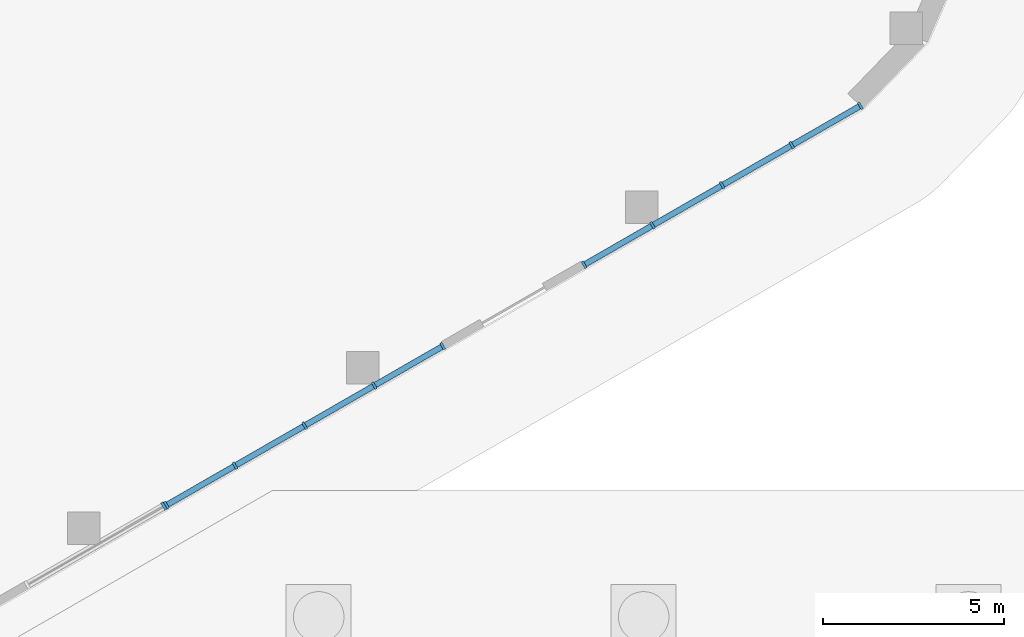
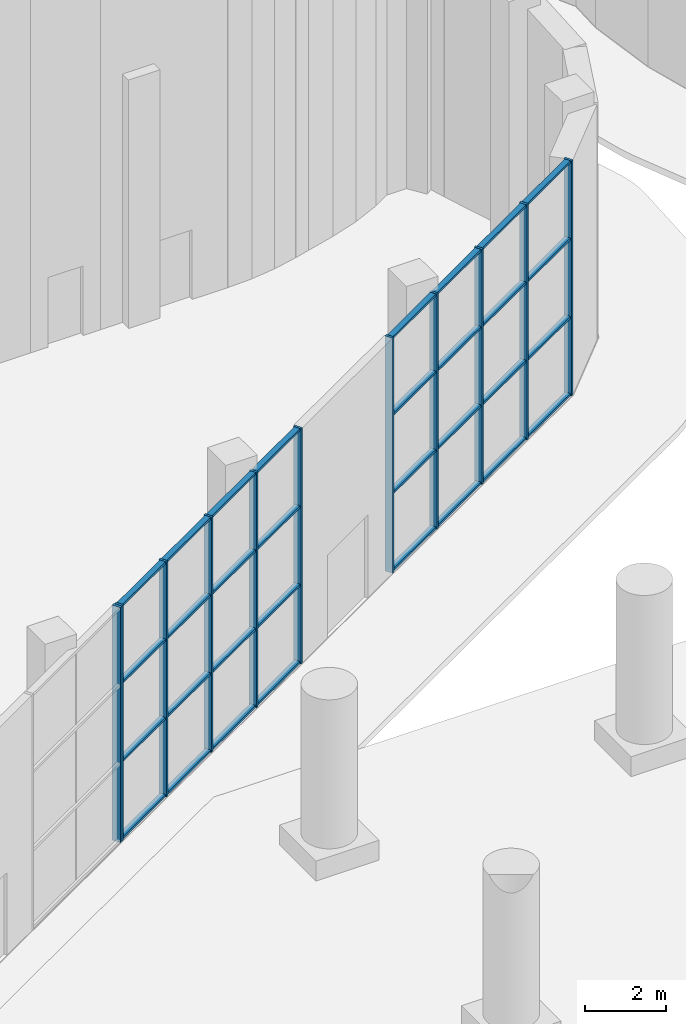
# One storey, part 4 of 30: 43 members, 3 elements without a shape of their own.
"""IFC4 building model written with IfcOpenShell, lengths in metres."""

from ifc_helpers import new_model, si_unit, direction, frame, origin, origin_2d, place, context, subcontext, project, spatial, rectangle, extrude, material, material_profile, profile_set, type_object, element, aggregate, save


model = new_model("IFC4")

# Units and contexts
model_context = context("Model", 3, precision=1e-05, world=origin(), true_north=direction((0.0, 1.0)))
body_context = subcontext(model_context, "Body", "Model", "MODEL_VIEW")
ifc_project = project(units=[si_unit("LENGTHUNIT", "METRE"), si_unit("AREAUNIT", "SQUARE_METRE"), si_unit("VOLUMEUNIT", "CUBIC_METRE"), si_unit("PLANEANGLEUNIT", "RADIAN"), si_unit("MASSUNIT", "GRAM", prefix="KILO")], contexts=[model_context])

# Site, building, storey
site_placement = place(None, origin())
site = spatial("IfcSite", under=ifc_project, at=site_placement, CompositionType="ELEMENT")
building_placement = place(site_placement, origin())
building = spatial("IfcBuilding", under=site, at=building_placement, Name="Skarvind Civic Tower", CompositionType="ELEMENT")
storey_placement = place(building_placement, origin())
storey = spatial("IfcBuildingStorey", under=building, at=storey_placement, Name="L00", CompositionType="ELEMENT", Elevation=0.0)

# Curtain wall, member
ifc_material_1 = material(Name="Aluminium alloy 6063 and laminated glass", Category="aluminium")
curtain_wall_type_1 = type_object("IfcCurtainWallType", Name="CW1 PUBLIC HALL GLAZING", PredefinedType="NOTDEFINED", material=ifc_material_1)
curtain_wall_1_placement = place(storey_placement, origin())
curtain_wall_1 = element("IfcCurtainWall", 1, at=curtain_wall_1_placement, inside=storey, type_object=curtain_wall_type_1, Name="PUBLIC SERVICE HALL GLAZING", PredefinedType="NOTDEFINED")
ifc_material_2 = material(Name="Aluminium alloy 6063", Category="aluminium")
ifc_material_profile_1 = material_profile(ifc_material_2, rectangle(XDim=0.239990234375, YDim=0.080078125, at=origin_2d()), Name="AL 80x240")
ifc_profile_set_1 = profile_set([ifc_material_profile_1], Name="Aluminium alloy 6063")
member_type_1 = type_object("IfcMemberType", Name="CW1 MULLION 80x240", PredefinedType="MULLION", material=ifc_profile_set_1)
member_1_placement = place(storey_placement, frame((91.213623046875, 89.56640625, 0.0), z_axis=(0.0, 0.0, 1.0), x_axis=(0.498821195522, -0.866704918008, 0.0)))
member_1 = element("IfcMember", 2, at=member_1_placement, type_object=member_type_1, Name="CW1 mullion 1", PredefinedType="MULLION", context=body_context, shape_type="SweptSolid", body=[
    extrude(rectangle(XDim=0.239990234375, YDim=0.080078125, at=origin_2d()), origin(), (0.0, 0.0, 1.0), 7.10009765625),
])
aggregate(curtain_wall_1, [member_1])

# Curtain wall, members
curtain_wall_type_2 = type_object("IfcCurtainWallType", Name="CW2 TOWER ENTRANCE LOBBY GLAZING", PredefinedType="NOTDEFINED", material=ifc_material_1)
curtain_wall_2_placement = place(storey_placement, origin())
curtain_wall_2 = element("IfcCurtainWall", 3, at=curtain_wall_2_placement, inside=storey, type_object=curtain_wall_type_2, Name="TOWER ENTRANCE LOBBY GLAZING", PredefinedType="NOTDEFINED")
ifc_material_profile_2 = material_profile(ifc_material_2, rectangle(XDim=0.219970703125, YDim=0.070068359375, at=origin_2d()), Name="AL 70x220")
ifc_profile_set_2 = profile_set([ifc_material_profile_2], Name="Aluminium alloy 6063")
member_type_2 = type_object("IfcMemberType", Name="CW2 MULLION 70x220", PredefinedType="MULLION", material=ifc_profile_set_2)
member_2_placement = place(storey_placement, frame((110.50146484375, 100.65576171875, 0.0), z_axis=(0.0, 0.0, 1.0), x_axis=(0.498829638128, -0.866700058916, 0.0)))
member_2 = element("IfcMember", 4, at=member_2_placement, type_object=member_type_2, Name="CW2 mullion 1", PredefinedType="MULLION", context=body_context, shape_type="SweptSolid", body=[
    extrude(rectangle(XDim=0.219970703125, YDim=0.070068359375, at=origin_2d()), origin(), (0.0, 0.0, 1.0), 7.10009765625),
])
member_3_placement = place(storey_placement, frame((108.60400390625, 99.563720703125, 0.0), z_axis=(0.0, 0.0, 1.0), x_axis=(0.498829638128, -0.866700058916, 0.0)))
member_3 = element("IfcMember", 5, at=member_3_placement, type_object=member_type_2, Name="CW2 mullion 2", PredefinedType="MULLION", context=body_context, shape_type="SweptSolid", body=[
    extrude(rectangle(XDim=0.219970703125, YDim=0.070068359375, at=origin_2d()), origin(), (0.0, 0.0, 1.0), 7.10009765625),
])
member_4_placement = place(storey_placement, frame((106.67626953125, 98.4541015625, 0.0), z_axis=(0.0, 0.0, 1.0), x_axis=(0.498829638128, -0.866700058916, 0.0)))
member_4 = element("IfcMember", 6, at=member_4_placement, type_object=member_type_2, Name="CW2 mullion 3", PredefinedType="MULLION", context=body_context, shape_type="SweptSolid", body=[
    extrude(rectangle(XDim=0.219970703125, YDim=0.070068359375, at=origin_2d()), origin(), (0.0, 0.0, 1.0), 7.10009765625),
])
member_5_placement = place(storey_placement, frame((104.748291015625, 97.344482421875, 0.0), z_axis=(0.0, 0.0, 1.0), x_axis=(0.498829638128, -0.866700058916, 0.0)))
member_5 = element("IfcMember", 7, at=member_5_placement, type_object=member_type_2, Name="CW2 mullion 4", PredefinedType="MULLION", context=body_context, shape_type="SweptSolid", body=[
    extrude(rectangle(XDim=0.219970703125, YDim=0.070068359375, at=origin_2d()), origin(), (0.0, 0.0, 1.0), 7.10009765625),
])
member_6_placement = place(storey_placement, frame((102.850830078125, 96.25244140625, 0.0), z_axis=(0.0, 0.0, 1.0), x_axis=(0.498829638128, -0.866700058916, 0.0)))
member_6 = element("IfcMember", 8, at=member_6_placement, type_object=member_type_2, Name="CW2 mullion 5", PredefinedType="MULLION", context=body_context, shape_type="SweptSolid", body=[
    extrude(rectangle(XDim=0.219970703125, YDim=0.070068359375, at=origin_2d()), origin(), (0.0, 0.0, 1.0), 7.10009765625),
])

curtain_wall_3_placement = place(storey_placement, origin())
curtain_wall_3 = element("IfcCurtainWall", 9, at=curtain_wall_3_placement, inside=storey, type_object=curtain_wall_type_2, Name="TOWER ENTRANCE LOBBY GLAZING", PredefinedType="NOTDEFINED")
member_7_placement = place(storey_placement, frame((98.9345703125, 93.99853515625, 0.0), z_axis=(0.0, 0.0, 1.0), x_axis=(0.498829638128, -0.866700058916, 0.0)))
member_7 = element("IfcMember", 10, at=member_7_placement, type_object=member_type_2, Name="CW2 mullion 1", PredefinedType="MULLION", context=body_context, shape_type="SweptSolid", body=[
    extrude(rectangle(XDim=0.219970703125, YDim=0.070068359375, at=origin_2d()), origin(), (0.0, 0.0, 1.0), 7.10009765625),
])
member_8_placement = place(storey_placement, frame((97.036865234375, 92.90625, 0.0), z_axis=(0.0, 0.0, 1.0), x_axis=(0.498829638128, -0.866700058916, 0.0)))
member_8 = element("IfcMember", 11, at=member_8_placement, type_object=member_type_2, Name="CW2 mullion 2", PredefinedType="MULLION", context=body_context, shape_type="SweptSolid", body=[
    extrude(rectangle(XDim=0.219970703125, YDim=0.070068359375, at=origin_2d()), origin(), (0.0, 0.0, 1.0), 7.10009765625),
])
member_9_placement = place(storey_placement, frame((95.109130859375, 91.796630859375, 0.0), z_axis=(0.0, 0.0, 1.0), x_axis=(0.498829638128, -0.866700058916, 0.0)))
member_9 = element("IfcMember", 12, at=member_9_placement, type_object=member_type_2, Name="CW2 mullion 3", PredefinedType="MULLION", context=body_context, shape_type="SweptSolid", body=[
    extrude(rectangle(XDim=0.219970703125, YDim=0.070068359375, at=origin_2d()), origin(), (0.0, 0.0, 1.0), 7.10009765625),
])
member_10_placement = place(storey_placement, frame((93.18115234375, 90.687255859375, 0.0), z_axis=(0.0, 0.0, 1.0), x_axis=(0.498829638128, -0.866700058916, 0.0)))
member_10 = element("IfcMember", 13, at=member_10_placement, type_object=member_type_2, Name="CW2 mullion 4", PredefinedType="MULLION", context=body_context, shape_type="SweptSolid", body=[
    extrude(rectangle(XDim=0.219970703125, YDim=0.070068359375, at=origin_2d()), origin(), (0.0, 0.0, 1.0), 7.10009765625),
])
member_11_placement = place(storey_placement, frame((91.28369140625, 89.594970703125, 0.0), z_axis=(0.0, 0.0, 1.0), x_axis=(0.498829638128, -0.866700058916, 0.0)))
member_11 = element("IfcMember", 14, at=member_11_placement, type_object=member_type_2, Name="CW2 mullion 5", PredefinedType="MULLION", context=body_context, shape_type="SweptSolid", body=[
    extrude(rectangle(XDim=0.219970703125, YDim=0.070068359375, at=origin_2d()), origin(), (0.0, 0.0, 1.0), 7.10009765625),
])

# Member
ifc_material_profile_3 = material_profile(ifc_material_2, rectangle(XDim=0.159912109375, YDim=0.070068359375, at=origin_2d()), Name="AL 70x160")
ifc_profile_set_3 = profile_set([ifc_material_profile_3], Name="Aluminium alloy 6063")
member_type_3 = type_object("IfcMemberType", Name="CW2 TRANSOM 70x160", PredefinedType="USERDEFINED", material=ifc_profile_set_3)
member_12_placement = place(storey_placement, frame((110.47119140625, 100.638427734375, 0.034912109375), z_axis=(-0.866722062826, -0.498791405109, 0.0), x_axis=(0.498791405109, -0.866722062826, 0.0)))
member_12 = element("IfcMember", 15, at=member_12_placement, type_object=member_type_3, Name="CW2 transom 1.1", ObjectType="TRANSOM", PredefinedType="USERDEFINED", context=body_context, shape_type="SweptSolid", body=[
    extrude(rectangle(XDim=0.159912109375, YDim=0.070068359375, at=origin_2d()), origin(), (0.0, 0.0, 1.0), 2.119384765625),
])

member_13_placement = place(storey_placement, frame((110.47119140625, 100.638427734375, 2.36669921875), z_axis=(-0.866722062826, -0.498791405109, 0.0), x_axis=(0.498791405109, -0.866722062826, 0.0)))
member_13 = element("IfcMember", 16, at=member_13_placement, type_object=member_type_3, Name="CW2 transom 1.2", ObjectType="TRANSOM", PredefinedType="USERDEFINED", context=body_context, shape_type="SweptSolid", body=[
    extrude(rectangle(XDim=0.159912109375, YDim=0.070068359375, at=origin_2d()), origin(), (0.0, 0.0, 1.0), 2.119384765625),
])

member_14_placement = place(storey_placement, frame((110.47119140625, 100.638427734375, 4.7333984375), z_axis=(-0.866722062826, -0.498791405109, 0.0), x_axis=(0.498791405109, -0.866722062826, 0.0)))
member_14 = element("IfcMember", 17, at=member_14_placement, type_object=member_type_3, Name="CW2 transom 1.3", ObjectType="TRANSOM", PredefinedType="USERDEFINED", context=body_context, shape_type="SweptSolid", body=[
    extrude(rectangle(XDim=0.159912109375, YDim=0.070068359375, at=origin_2d()), origin(), (0.0, 0.0, 1.0), 2.119384765625),
])

member_15_placement = place(storey_placement, frame((110.47119140625, 100.638427734375, 7.06494140625), z_axis=(-0.866722062826, -0.498791405109, 0.0), x_axis=(0.498791405109, -0.866722062826, 0.0)))
member_15 = element("IfcMember", 18, at=member_15_placement, type_object=member_type_3, Name="CW2 transom 1.4", ObjectType="TRANSOM", PredefinedType="USERDEFINED", context=body_context, shape_type="SweptSolid", body=[
    extrude(rectangle(XDim=0.159912109375, YDim=0.070068359375, at=origin_2d()), origin(), (0.0, 0.0, 1.0), 2.119384765625),
])

member_16_placement = place(storey_placement, frame((108.57373046875, 99.54638671875, 0.034912109375), z_axis=(-0.866690754889, -0.498845803219, 0.0), x_axis=(0.498845803219, -0.866690754889, 0.0)))
member_16 = element("IfcMember", 19, at=member_16_placement, type_object=member_type_3, Name="CW2 transom 2.1", ObjectType="TRANSOM", PredefinedType="USERDEFINED", context=body_context, shape_type="SweptSolid", body=[
    extrude(rectangle(XDim=0.159912109375, YDim=0.070068359375, at=origin_2d()), origin(), (0.0, 0.0, 1.0), 2.154296875),
])

member_17_placement = place(storey_placement, frame((108.57373046875, 99.54638671875, 2.36669921875), z_axis=(-0.866690754889, -0.498845803219, 0.0), x_axis=(0.498845803219, -0.866690754889, 0.0)))
member_17 = element("IfcMember", 20, at=member_17_placement, type_object=member_type_3, Name="CW2 transom 2.2", ObjectType="TRANSOM", PredefinedType="USERDEFINED", context=body_context, shape_type="SweptSolid", body=[
    extrude(rectangle(XDim=0.159912109375, YDim=0.070068359375, at=origin_2d()), origin(), (0.0, 0.0, 1.0), 2.154296875),
])

member_18_placement = place(storey_placement, frame((108.57373046875, 99.54638671875, 4.7333984375), z_axis=(-0.866690754889, -0.498845803219, 0.0), x_axis=(0.498845803219, -0.866690754889, 0.0)))
member_18 = element("IfcMember", 21, at=member_18_placement, type_object=member_type_3, Name="CW2 transom 2.3", ObjectType="TRANSOM", PredefinedType="USERDEFINED", context=body_context, shape_type="SweptSolid", body=[
    extrude(rectangle(XDim=0.159912109375, YDim=0.070068359375, at=origin_2d()), origin(), (0.0, 0.0, 1.0), 2.154296875),
])

member_19_placement = place(storey_placement, frame((108.57373046875, 99.54638671875, 7.06494140625), z_axis=(-0.866690754889, -0.498845803219, 0.0), x_axis=(0.498845803219, -0.866690754889, 0.0)))
member_19 = element("IfcMember", 22, at=member_19_placement, type_object=member_type_3, Name="CW2 transom 2.4", ObjectType="TRANSOM", PredefinedType="USERDEFINED", context=body_context, shape_type="SweptSolid", body=[
    extrude(rectangle(XDim=0.159912109375, YDim=0.070068359375, at=origin_2d()), origin(), (0.0, 0.0, 1.0), 2.154296875),
])

member_20_placement = place(storey_placement, frame((106.645751953125, 98.436767578125, 0.034912109375), z_axis=(-0.866690754889, -0.498845803219, 0.0), x_axis=(0.498845803219, -0.866690754889, 0.0)))
member_20 = element("IfcMember", 23, at=member_20_placement, type_object=member_type_3, Name="CW2 transom 3.1", ObjectType="TRANSOM", PredefinedType="USERDEFINED", context=body_context, shape_type="SweptSolid", body=[
    extrude(rectangle(XDim=0.159912109375, YDim=0.070068359375, at=origin_2d()), origin(), (0.0, 0.0, 1.0), 2.154296875),
])

member_21_placement = place(storey_placement, frame((106.645751953125, 98.436767578125, 2.36669921875), z_axis=(-0.866690754889, -0.498845803219, 0.0), x_axis=(0.498845803219, -0.866690754889, 0.0)))
member_21 = element("IfcMember", 24, at=member_21_placement, type_object=member_type_3, Name="CW2 transom 3.2", ObjectType="TRANSOM", PredefinedType="USERDEFINED", context=body_context, shape_type="SweptSolid", body=[
    extrude(rectangle(XDim=0.159912109375, YDim=0.070068359375, at=origin_2d()), origin(), (0.0, 0.0, 1.0), 2.154296875),
])

member_22_placement = place(storey_placement, frame((106.645751953125, 98.436767578125, 4.7333984375), z_axis=(-0.866690754889, -0.498845803219, 0.0), x_axis=(0.498845803219, -0.866690754889, 0.0)))
member_22 = element("IfcMember", 25, at=member_22_placement, type_object=member_type_3, Name="CW2 transom 3.3", ObjectType="TRANSOM", PredefinedType="USERDEFINED", context=body_context, shape_type="SweptSolid", body=[
    extrude(rectangle(XDim=0.159912109375, YDim=0.070068359375, at=origin_2d()), origin(), (0.0, 0.0, 1.0), 2.154296875),
])

member_23_placement = place(storey_placement, frame((106.645751953125, 98.436767578125, 7.06494140625), z_axis=(-0.866690754889, -0.498845803219, 0.0), x_axis=(0.498845803219, -0.866690754889, 0.0)))
member_23 = element("IfcMember", 26, at=member_23_placement, type_object=member_type_3, Name="CW2 transom 3.4", ObjectType="TRANSOM", PredefinedType="USERDEFINED", context=body_context, shape_type="SweptSolid", body=[
    extrude(rectangle(XDim=0.159912109375, YDim=0.070068359375, at=origin_2d()), origin(), (0.0, 0.0, 1.0), 2.154296875),
])

member_24_placement = place(storey_placement, frame((104.718017578125, 97.3271484375, 0.034912109375), z_axis=(-0.866722062826, -0.498791405109, 0.0), x_axis=(0.498791405109, -0.866722062826, 0.0)))
member_24 = element("IfcMember", 27, at=member_24_placement, type_object=member_type_3, Name="CW2 transom 4.1", ObjectType="TRANSOM", PredefinedType="USERDEFINED", context=body_context, shape_type="SweptSolid", body=[
    extrude(rectangle(XDim=0.159912109375, YDim=0.070068359375, at=origin_2d()), origin(), (0.0, 0.0, 1.0), 2.119384765625),
])

member_25_placement = place(storey_placement, frame((104.718017578125, 97.3271484375, 2.36669921875), z_axis=(-0.866722062826, -0.498791405109, 0.0), x_axis=(0.498791405109, -0.866722062826, 0.0)))
member_25 = element("IfcMember", 28, at=member_25_placement, type_object=member_type_3, Name="CW2 transom 4.2", ObjectType="TRANSOM", PredefinedType="USERDEFINED", context=body_context, shape_type="SweptSolid", body=[
    extrude(rectangle(XDim=0.159912109375, YDim=0.070068359375, at=origin_2d()), origin(), (0.0, 0.0, 1.0), 2.119384765625),
])

member_26_placement = place(storey_placement, frame((104.718017578125, 97.3271484375, 4.7333984375), z_axis=(-0.866722062826, -0.498791405109, 0.0), x_axis=(0.498791405109, -0.866722062826, 0.0)))
member_26 = element("IfcMember", 29, at=member_26_placement, type_object=member_type_3, Name="CW2 transom 4.3", ObjectType="TRANSOM", PredefinedType="USERDEFINED", context=body_context, shape_type="SweptSolid", body=[
    extrude(rectangle(XDim=0.159912109375, YDim=0.070068359375, at=origin_2d()), origin(), (0.0, 0.0, 1.0), 2.119384765625),
])

member_27_placement = place(storey_placement, frame((104.718017578125, 97.3271484375, 7.06494140625), z_axis=(-0.866722062826, -0.498791405109, 0.0), x_axis=(0.498791405109, -0.866722062826, 0.0)))
member_27 = element("IfcMember", 30, at=member_27_placement, type_object=member_type_3, Name="CW2 transom 4.4", ObjectType="TRANSOM", PredefinedType="USERDEFINED", context=body_context, shape_type="SweptSolid", body=[
    extrude(rectangle(XDim=0.159912109375, YDim=0.070068359375, at=origin_2d()), origin(), (0.0, 0.0, 1.0), 2.119384765625),
])

aggregate(curtain_wall_2, [member_2, member_3, member_4, member_5, member_6, member_12, member_13, member_14, member_15, member_16, member_17, member_18, member_19, member_20, member_21, member_22, member_23, member_24, member_25, member_26, member_27])

member_28_placement = place(storey_placement, frame((98.904052734375, 93.98095703125, 0.034912109375), z_axis=(-0.866693399009, -0.498841209319, 0.0), x_axis=(0.498841209319, -0.866693399009, 0.0)))
member_28 = element("IfcMember", 31, at=member_28_placement, type_object=member_type_3, Name="CW2 transom 1.1", ObjectType="TRANSOM", PredefinedType="USERDEFINED", context=body_context, shape_type="SweptSolid", body=[
    extrude(rectangle(XDim=0.159912109375, YDim=0.070068359375, at=origin_2d()), origin(), (0.0, 0.0, 1.0), 2.119140625),
])

member_29_placement = place(storey_placement, frame((98.904052734375, 93.98095703125, 2.36669921875), z_axis=(-0.866693399009, -0.498841209319, 0.0), x_axis=(0.498841209319, -0.866693399009, 0.0)))
member_29 = element("IfcMember", 32, at=member_29_placement, type_object=member_type_3, Name="CW2 transom 1.2", ObjectType="TRANSOM", PredefinedType="USERDEFINED", context=body_context, shape_type="SweptSolid", body=[
    extrude(rectangle(XDim=0.159912109375, YDim=0.070068359375, at=origin_2d()), origin(), (0.0, 0.0, 1.0), 2.119140625),
])

member_30_placement = place(storey_placement, frame((98.904052734375, 93.98095703125, 4.7333984375), z_axis=(-0.866693399009, -0.498841209319, 0.0), x_axis=(0.498841209319, -0.866693399009, 0.0)))
member_30 = element("IfcMember", 33, at=member_30_placement, type_object=member_type_3, Name="CW2 transom 1.3", ObjectType="TRANSOM", PredefinedType="USERDEFINED", context=body_context, shape_type="SweptSolid", body=[
    extrude(rectangle(XDim=0.159912109375, YDim=0.070068359375, at=origin_2d()), origin(), (0.0, 0.0, 1.0), 2.119140625),
])

member_31_placement = place(storey_placement, frame((98.904052734375, 93.98095703125, 7.06494140625), z_axis=(-0.866693399009, -0.498841209319, 0.0), x_axis=(0.498841209319, -0.866693399009, 0.0)))
member_31 = element("IfcMember", 34, at=member_31_placement, type_object=member_type_3, Name="CW2 transom 1.4", ObjectType="TRANSOM", PredefinedType="USERDEFINED", context=body_context, shape_type="SweptSolid", body=[
    extrude(rectangle(XDim=0.159912109375, YDim=0.070068359375, at=origin_2d()), origin(), (0.0, 0.0, 1.0), 2.119140625),
])

member_32_placement = place(storey_placement, frame((97.006591796875, 92.888916015625, 0.034912109375), z_axis=(-0.866690754889, -0.498845803219, 0.0), x_axis=(0.498845803219, -0.866690754889, 0.0)))
member_32 = element("IfcMember", 35, at=member_32_placement, type_object=member_type_3, Name="CW2 transom 2.1", ObjectType="TRANSOM", PredefinedType="USERDEFINED", context=body_context, shape_type="SweptSolid", body=[
    extrude(rectangle(XDim=0.159912109375, YDim=0.070068359375, at=origin_2d()), origin(), (0.0, 0.0, 1.0), 2.154296875),
])

member_33_placement = place(storey_placement, frame((97.006591796875, 92.888916015625, 2.36669921875), z_axis=(-0.866690754889, -0.498845803219, 0.0), x_axis=(0.498845803219, -0.866690754889, 0.0)))
member_33 = element("IfcMember", 36, at=member_33_placement, type_object=member_type_3, Name="CW2 transom 2.2", ObjectType="TRANSOM", PredefinedType="USERDEFINED", context=body_context, shape_type="SweptSolid", body=[
    extrude(rectangle(XDim=0.159912109375, YDim=0.070068359375, at=origin_2d()), origin(), (0.0, 0.0, 1.0), 2.154296875),
])

member_34_placement = place(storey_placement, frame((97.006591796875, 92.888916015625, 4.7333984375), z_axis=(-0.866690754889, -0.498845803219, 0.0), x_axis=(0.498845803219, -0.866690754889, 0.0)))
member_34 = element("IfcMember", 37, at=member_34_placement, type_object=member_type_3, Name="CW2 transom 2.3", ObjectType="TRANSOM", PredefinedType="USERDEFINED", context=body_context, shape_type="SweptSolid", body=[
    extrude(rectangle(XDim=0.159912109375, YDim=0.070068359375, at=origin_2d()), origin(), (0.0, 0.0, 1.0), 2.154296875),
])

member_35_placement = place(storey_placement, frame((97.006591796875, 92.888916015625, 7.06494140625), z_axis=(-0.866690754889, -0.498845803219, 0.0), x_axis=(0.498845803219, -0.866690754889, 0.0)))
member_35 = element("IfcMember", 38, at=member_35_placement, type_object=member_type_3, Name="CW2 transom 2.4", ObjectType="TRANSOM", PredefinedType="USERDEFINED", context=body_context, shape_type="SweptSolid", body=[
    extrude(rectangle(XDim=0.159912109375, YDim=0.070068359375, at=origin_2d()), origin(), (0.0, 0.0, 1.0), 2.154296875),
])

member_36_placement = place(storey_placement, frame((95.078857421875, 91.779296875, 0.034912109375), z_axis=(-0.866690754889, -0.498845803219, 0.0), x_axis=(0.498845803219, -0.866690754889, 0.0)))
member_36 = element("IfcMember", 39, at=member_36_placement, type_object=member_type_3, Name="CW2 transom 3.1", ObjectType="TRANSOM", PredefinedType="USERDEFINED", context=body_context, shape_type="SweptSolid", body=[
    extrude(rectangle(XDim=0.159912109375, YDim=0.070068359375, at=origin_2d()), origin(), (0.0, 0.0, 1.0), 2.154296875),
])

member_37_placement = place(storey_placement, frame((95.078857421875, 91.779296875, 2.36669921875), z_axis=(-0.866690754889, -0.498845803219, 0.0), x_axis=(0.498845803219, -0.866690754889, 0.0)))
member_37 = element("IfcMember", 40, at=member_37_placement, type_object=member_type_3, Name="CW2 transom 3.2", ObjectType="TRANSOM", PredefinedType="USERDEFINED", context=body_context, shape_type="SweptSolid", body=[
    extrude(rectangle(XDim=0.159912109375, YDim=0.070068359375, at=origin_2d()), origin(), (0.0, 0.0, 1.0), 2.154296875),
])

member_38_placement = place(storey_placement, frame((95.078857421875, 91.779296875, 4.7333984375), z_axis=(-0.866690754889, -0.498845803219, 0.0), x_axis=(0.498845803219, -0.866690754889, 0.0)))
member_38 = element("IfcMember", 41, at=member_38_placement, type_object=member_type_3, Name="CW2 transom 3.3", ObjectType="TRANSOM", PredefinedType="USERDEFINED", context=body_context, shape_type="SweptSolid", body=[
    extrude(rectangle(XDim=0.159912109375, YDim=0.070068359375, at=origin_2d()), origin(), (0.0, 0.0, 1.0), 2.154296875),
])

member_39_placement = place(storey_placement, frame((95.078857421875, 91.779296875, 7.06494140625), z_axis=(-0.866690754889, -0.498845803219, 0.0), x_axis=(0.498845803219, -0.866690754889, 0.0)))
member_39 = element("IfcMember", 42, at=member_39_placement, type_object=member_type_3, Name="CW2 transom 3.4", ObjectType="TRANSOM", PredefinedType="USERDEFINED", context=body_context, shape_type="SweptSolid", body=[
    extrude(rectangle(XDim=0.159912109375, YDim=0.070068359375, at=origin_2d()), origin(), (0.0, 0.0, 1.0), 2.154296875),
])

member_40_placement = place(storey_placement, frame((93.15087890625, 90.669677734375, 0.034912109375), z_axis=(-0.866722062826, -0.498791405109, 0.0), x_axis=(0.498791405109, -0.866722062826, 0.0)))
member_40 = element("IfcMember", 43, at=member_40_placement, type_object=member_type_3, Name="CW2 transom 4.1", ObjectType="TRANSOM", PredefinedType="USERDEFINED", context=body_context, shape_type="SweptSolid", body=[
    extrude(rectangle(XDim=0.159912109375, YDim=0.070068359375, at=origin_2d()), origin(), (0.0, 0.0, 1.0), 2.119384765625),
])

member_41_placement = place(storey_placement, frame((93.15087890625, 90.669677734375, 2.36669921875), z_axis=(-0.866722062826, -0.498791405109, 0.0), x_axis=(0.498791405109, -0.866722062826, 0.0)))
member_41 = element("IfcMember", 44, at=member_41_placement, type_object=member_type_3, Name="CW2 transom 4.2", ObjectType="TRANSOM", PredefinedType="USERDEFINED", context=body_context, shape_type="SweptSolid", body=[
    extrude(rectangle(XDim=0.159912109375, YDim=0.070068359375, at=origin_2d()), origin(), (0.0, 0.0, 1.0), 2.119384765625),
])

member_42_placement = place(storey_placement, frame((93.15087890625, 90.669677734375, 4.7333984375), z_axis=(-0.866722062826, -0.498791405109, 0.0), x_axis=(0.498791405109, -0.866722062826, 0.0)))
member_42 = element("IfcMember", 45, at=member_42_placement, type_object=member_type_3, Name="CW2 transom 4.3", ObjectType="TRANSOM", PredefinedType="USERDEFINED", context=body_context, shape_type="SweptSolid", body=[
    extrude(rectangle(XDim=0.159912109375, YDim=0.070068359375, at=origin_2d()), origin(), (0.0, 0.0, 1.0), 2.119384765625),
])

member_43_placement = place(storey_placement, frame((93.15087890625, 90.669677734375, 7.06494140625), z_axis=(-0.866722062826, -0.498791405109, 0.0), x_axis=(0.498791405109, -0.866722062826, 0.0)))
member_43 = element("IfcMember", 46, at=member_43_placement, type_object=member_type_3, Name="CW2 transom 4.4", ObjectType="TRANSOM", PredefinedType="USERDEFINED", context=body_context, shape_type="SweptSolid", body=[
    extrude(rectangle(XDim=0.159912109375, YDim=0.070068359375, at=origin_2d()), origin(), (0.0, 0.0, 1.0), 2.119384765625),
])

aggregate(curtain_wall_3, [member_7, member_8, member_9, member_10, member_11, member_28, member_29, member_30, member_31, member_32, member_33, member_34, member_35, member_36, member_37, member_38, member_39, member_40, member_41, member_42, member_43])

save(model, "model.ifc")
